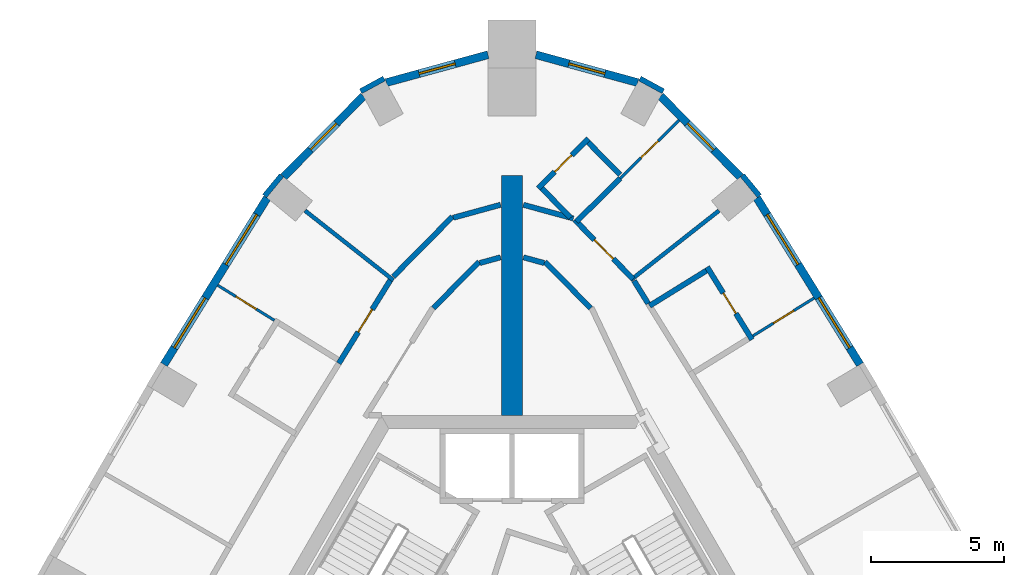
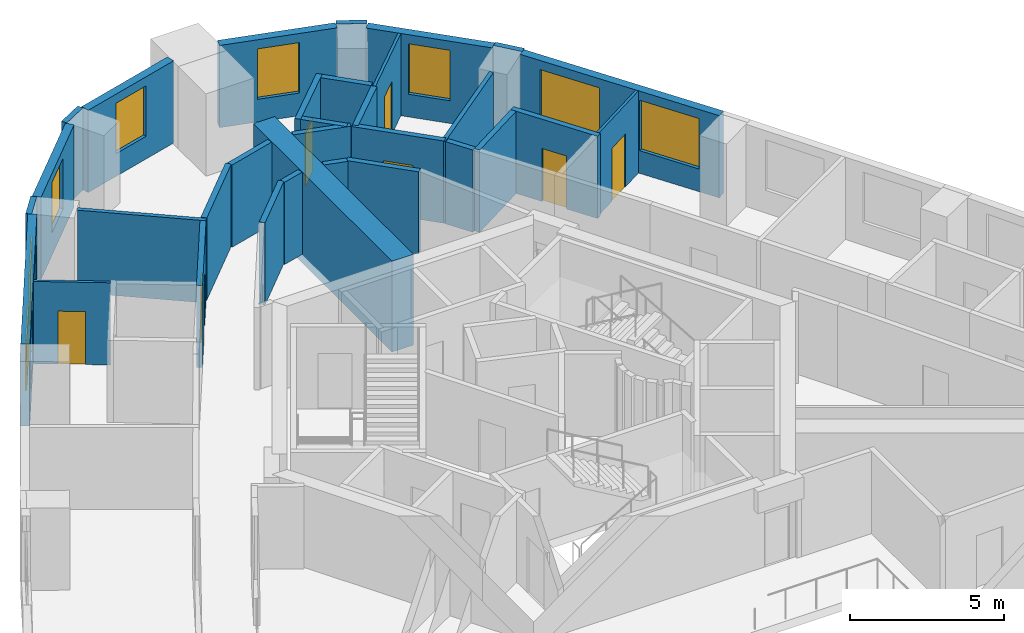
# One storey, part 8 of 10: 32 walls, 8 windows, 7 doors, 15 openings.
"""IFC4 building model written with IfcOpenShell, lengths in metres."""

from ifc_helpers import new_model, si_unit, direction, frame, frame_2d, origin, place, context, subcontext, project, spatial, rectangle, extrude, material, layer, layer_set, type_object, element, fill, save


model = new_model("IFC4")

# Units and contexts
model_context = context("Model", 3, precision=1e-05, world=origin(), true_north=direction((0.0, 1.0)))
body_context = subcontext(model_context, "Body", "Model", "MODEL_VIEW")
ifc_project = project(units=[si_unit("LENGTHUNIT", "METRE"), si_unit("AREAUNIT", "SQUARE_METRE"), si_unit("VOLUMEUNIT", "CUBIC_METRE"), si_unit("PLANEANGLEUNIT", "RADIAN"), si_unit("MASSUNIT", "GRAM", prefix="KILO")], contexts=[model_context])

# Site, building, storey
site_placement = place(None, origin())
site = spatial("IfcSite", under=ifc_project, at=site_placement, CompositionType="ELEMENT")
building_placement = place(site_placement, origin())
building = spatial("IfcBuilding", under=site, at=building_placement, Name="Entoto Arch Interchange Tower", CompositionType="ELEMENT")
storey_placement = place(building_placement, frame((0.0, 0.0, 300.800048828125)))
storey = spatial("IfcBuildingStorey", under=building, at=storey_placement, Name="L70", CompositionType="ELEMENT", Elevation=300.800048828125)

# Wall
ifc_material_1 = material(Name="Concrete C40/50", Category="concrete")
ifc_layer_1 = layer(ifc_material_1, 0.800048828125)
ifc_layer_set_1 = layer_set([ifc_layer_1], Name="Concrete C40/50")
wall_type_1 = type_object("IfcWallType", Name="Buttress wall 800 C40/50", PredefinedType="SHEAR", material=ifc_layer_set_1)
wall_1_placement = place(storey_placement, frame((0.0, 11.0, -0.340087890625), z_axis=(0.0, 0.0, 1.0), x_axis=(0.0, 1.0, 0.0)))
element("IfcWall", 1, at=wall_1_placement, inside=storey, type_object=wall_type_1, Name="Buttress wall N L70", PredefinedType="SHEAR", context=body_context, shape_type="SweptSolid", body=[
    extrude(rectangle(XDim=9.0, YDim=0.800048828125, at=frame_2d((4.5, 0.0))), origin(), (0.0, 0.0, 1.0), 3.60009765625),
])

# Wall, opening, door
ifc_material_2 = material(Name="Gypsum board partition on steel studs", Category="steel")
ifc_layer_2 = layer(ifc_material_2, 0.10009765625)
ifc_layer_set_2 = layer_set([ifc_layer_2], Name="Gypsum board partition on steel studs")
wall_type_2 = type_object("IfcWallType", Name="PARTITION 100", PredefinedType="PARTITIONING", material=ifc_layer_set_2)
wall_2_placement = place(storey_placement, frame((9.031005859375, 13.97900390625, 0.0), z_axis=(0.0, 0.0, 1.0), x_axis=(0.85032680557, 0.526254998768, 0.0)))
wall_2 = element("IfcWall", 2, at=wall_2_placement, inside=storey, type_object=wall_type_2, Name="wall:L70:p104", PredefinedType="PARTITIONING", context=body_context, shape_type="SweptSolid", body=[
    extrude(rectangle(XDim=2.699951171875, YDim=0.10009765625, at=frame_2d((1.35009765625, 0.0))), origin(), (0.0, 0.0, 1.0), 3.260009765625),
])
opening_1_placement = place(wall_2_placement, frame((0.89990234375, 0.0, 0.0)))
opening_1 = element("IfcOpeningElement", 3, at=opening_1_placement, cuts=wall_2, Name="Opening L70-D10", PredefinedType="OPENING", context=body_context, shape_type="SweptSolid", body=[
    extrude(rectangle(XDim=0.89990234375, YDim=2.10009765625, at=frame_2d((0.449951171875, 1.050048828125))), frame((0.0, 0.06005859375, 0.0), z_axis=(0.0, -1.0, 0.0), x_axis=(1.0, 0.0, 0.0)), (0.0, 0.0, 1.0), 0.1201171875),
])
ifc_material_3 = material(Name="Timber door leaf in Steel S235 frame", Category="steel")
door_type_1 = type_object("IfcDoorType", Name="DOOR DS-09 900x2100", OperationType="SINGLE_SWING_LEFT", PredefinedType="DOOR", material=ifc_material_3)
door_1_placement = place(opening_1_placement, origin())
door_1 = element("IfcDoor", 4, at=door_1_placement, inside=storey, type_object=door_type_1, Name="door:L70:10", OperationType="SINGLE_SWING_LEFT", OverallHeight=2.10009765625, OverallWidth=0.89990234375, PredefinedType="DOOR", context=body_context, shape_type="SweptSolid", body=[
    extrude(rectangle(XDim=0.89990234375, YDim=2.10009765625, at=frame_2d((0.449951171875, 1.050048828125))), frame((0.0, 0.02490234375, 0.0), z_axis=(0.0, -1.0, 0.0), x_axis=(1.0, 0.0, 0.0)), (0.0, 0.0, 1.0), 0.050048828125),
])
fill(opening_1, door_1)

wall_3_placement = place(storey_placement, frame((4.052978515625, 19.881103515625, 0.0), z_axis=(0.0, 0.0, 1.0), x_axis=(0.711776071152, 0.702406452516, 0.0)))
wall_3 = element("IfcWall", 5, at=wall_3_placement, inside=storey, type_object=wall_type_2, Name="wall:L70:p109", PredefinedType="PARTITIONING", context=body_context, shape_type="SweptSolid", body=[
    extrude(rectangle(XDim=3.100830078125, YDim=0.10009765625, at=frame_2d((1.55029296875, 0.0))), origin(), (0.0, 0.0, 1.0), 3.260009765625),
])
opening_2_placement = place(wall_3_placement, frame((1.10009765625, 0.0, 0.0)))
opening_2 = element("IfcOpeningElement", 6, at=opening_2_placement, cuts=wall_3, Name="Opening L70-D13", PredefinedType="OPENING", context=body_context, shape_type="SweptSolid", body=[
    extrude(rectangle(XDim=0.89990234375, YDim=2.10009765625, at=frame_2d((0.449951171875, 1.050048828125))), frame((0.0, 0.06005859375, 0.0), z_axis=(0.0, -1.0, 0.0), x_axis=(1.0, 0.0, 0.0)), (0.0, 0.0, 1.0), 0.1201171875),
])
door_2_placement = place(opening_2_placement, origin())
door_2 = element("IfcDoor", 7, at=door_2_placement, inside=storey, type_object=door_type_1, Name="door:L70:13", OperationType="SINGLE_SWING_LEFT", OverallHeight=2.10009765625, OverallWidth=0.89990234375, PredefinedType="DOOR", context=body_context, shape_type="SweptSolid", body=[
    extrude(rectangle(XDim=0.89990234375, YDim=2.10009765625, at=frame_2d((0.449951171875, 1.050048828125))), frame((0.0, 0.02490234375, 0.0), z_axis=(0.0, -1.0, 0.0), x_axis=(1.0, 0.0, 0.0)), (0.0, 0.0, 1.0), 0.050048828125),
])
fill(opening_2, door_2)

wall_4_placement = place(storey_placement, frame((-8.906005859375, 14.56201171875, 0.0), z_axis=(0.0, 0.0, 1.0), x_axis=(-0.850186034224, 0.526482390219, 0.0)))
wall_4 = element("IfcWall", 8, at=wall_4_placement, inside=storey, type_object=wall_type_2, Name="wall:L70:p115", PredefinedType="PARTITIONING", context=body_context, shape_type="SweptSolid", body=[
    extrude(rectangle(XDim=2.49951171875, YDim=0.10009765625, at=frame_2d((1.249755859375, 0.0))), origin(), (0.0, 0.0, 1.0), 3.260009765625),
])
opening_3_placement = place(wall_4_placement, frame((0.800048828125, 0.0, 0.0)))
opening_3 = element("IfcOpeningElement", 9, at=opening_3_placement, cuts=wall_4, Name="Opening L70-D16", PredefinedType="OPENING", context=body_context, shape_type="SweptSolid", body=[
    extrude(rectangle(XDim=0.89990234375, YDim=2.10009765625, at=frame_2d((0.449951171875, 1.050048828125))), frame((0.0, 0.06005859375, 0.0), z_axis=(0.0, -1.0, 0.0), x_axis=(1.0, 0.0, 0.0)), (0.0, 0.0, 1.0), 0.1201171875),
])
door_3_placement = place(opening_3_placement, origin())
door_3 = element("IfcDoor", 10, at=door_3_placement, inside=storey, type_object=door_type_1, Name="door:L70:16", OperationType="SINGLE_SWING_LEFT", OverallHeight=2.10009765625, OverallWidth=0.89990234375, PredefinedType="DOOR", context=body_context, shape_type="SweptSolid", body=[
    extrude(rectangle(XDim=0.89990234375, YDim=2.10009765625, at=frame_2d((0.449951171875, 1.050048828125))), frame((0.0, 0.02490234375, 0.0), z_axis=(0.0, -1.0, 0.0), x_axis=(1.0, 0.0, 0.0)), (0.0, 0.0, 1.0), 0.050048828125),
])
fill(opening_3, door_3)

# Walls
ifc_layer_3 = layer(ifc_material_2, 0.14990234375)
ifc_layer_set_3 = layer_set([ifc_layer_3], Name="Gypsum board partition on steel studs")
wall_type_3 = type_object("IfcWallType", Name="PARTITION 150", PredefinedType="PARTITIONING", material=ifc_layer_set_3)
for number, where, z_axis, x_axis, name in (
    (11, (4.445068359375, 16.068115234375, 0.0), (0.0, 0.0, 1.0), (0.785872006963, 0.618389188677, 0.0), "wall:L70:p108"),
    (12, (-4.445068359375, 16.068115234375, 0.0), (0.0, 0.0, 1.0), (-0.785872006963, 0.618389188677, 0.0), "wall:L70:p114"),
):
    element("IfcWall", number, at=place(storey_placement, frame(where, z_axis=z_axis, x_axis=x_axis)), inside=storey, type_object=wall_type_3, Name=name, PredefinedType="PARTITIONING", context=body_context, shape_type="SweptSolid", body=[
        extrude(rectangle(XDim=4.215576171875, YDim=0.14990234375, at=frame_2d((2.10791015625, 0.0))), origin(), (0.0, 0.0, 1.0), 3.260009765625),
    ])
ifc_layer_4 = layer(ifc_material_2, 0.199951171875)
ifc_layer_set_4 = layer_set([ifc_layer_4], Name="Gypsum board partition on steel studs")
wall_type_4 = type_object("IfcWallType", Name="PARTITION 200", PredefinedType="PARTITIONING", material=ifc_layer_set_4)
wall_5_placement = place(storey_placement, frame((2.950927734375, 15.01904296875, 0.0), z_axis=(0.0, 0.0, 1.0), x_axis=(-0.702341227034, 0.711840432126, 0.0)))
element("IfcWall", 13, at=wall_5_placement, inside=storey, type_object=wall_type_4, Name="wall:L70:p006", PredefinedType="PARTITIONING", context=body_context, shape_type="SweptSolid", body=[
    extrude(rectangle(XDim=2.441650390625, YDim=0.199951171875, at=frame_2d((1.220703125, 0.0))), origin(), (0.0, 0.0, 1.0), 3.260009765625),
])
wall_6_placement = place(storey_placement, frame((1.208984375, 16.7119140625, 0.0), z_axis=(0.0, 0.0, 1.0), x_axis=(-0.964583129746, 0.26377904733, 0.0)))
element("IfcWall", 14, at=wall_6_placement, inside=storey, type_object=wall_type_4, Name="wall:L70:p007", PredefinedType="PARTITIONING", context=body_context, shape_type="SweptSolid", body=[
    extrude(rectangle(XDim=0.811767578125, YDim=0.199951171875, at=frame_2d((0.40576171875, 0.0))), origin(), (0.0, 0.0, 1.0), 3.260009765625),
])
wall_7_placement = place(storey_placement, frame((-0.426025390625, 16.927001953125, 0.0), z_axis=(0.0, 0.0, 1.0), x_axis=(-0.964276465753, -0.264897900321, 0.0)))
element("IfcWall", 15, at=wall_7_placement, inside=storey, type_object=wall_type_4, Name="wall:L70:p008", PredefinedType="PARTITIONING", context=body_context, shape_type="SweptSolid", body=[
    extrude(rectangle(XDim=0.81201171875, YDim=0.199951171875, at=frame_2d((0.406005859375, 0.0))), origin(), (0.0, 0.0, 1.0), 3.260009765625),
])
wall_8_placement = place(storey_placement, frame((-1.236083984375, 16.757080078125, 0.0), z_axis=(0.0, 0.0, 1.0), x_axis=(-0.702341227034, -0.711840432126, 0.0)))
element("IfcWall", 16, at=wall_8_placement, inside=storey, type_object=wall_type_4, Name="wall:L70:p009", PredefinedType="PARTITIONING", context=body_context, shape_type="SweptSolid", body=[
    extrude(rectangle(XDim=2.441650390625, YDim=0.199951171875, at=frame_2d((1.220703125, 0.0))), origin(), (0.0, 0.0, 1.0), 3.260009765625),
])
wall_9_placement = place(storey_placement, frame((4.576904296875, 16.044921875, 0.0), z_axis=(0.0, 0.0, 1.0), x_axis=(0.526203576349, -0.850358628014, 0.0)))
element("IfcWall", 17, at=wall_9_placement, inside=storey, type_object=wall_type_4, Name="wall:L70:p042", PredefinedType="PARTITIONING", context=body_context, shape_type="SweptSolid", body=[
    extrude(rectangle(XDim=1.001708984375, YDim=0.199951171875, at=frame_2d((0.5009765625, 0.0))), origin(), (0.0, 0.0, 1.0), 3.260009765625),
])

# Wall, opening, door
wall_10_placement = place(storey_placement, frame((2.345947265625, 18.3359375, 0.0), z_axis=(0.0, 0.0, 1.0), x_axis=(0.702481985573, -0.711701524479, 0.0)))
wall_10 = element("IfcWall", 18, at=wall_10_placement, inside=storey, type_object=wall_type_4, Name="wall:L70:p044", PredefinedType="PARTITIONING", context=body_context, shape_type="SweptSolid", body=[
    extrude(rectangle(XDim=3.124755859375, YDim=0.199951171875, at=frame_2d((1.5625, 0.0))), origin(), (0.0, 0.0, 1.0), 3.260009765625),
])
opening_4_placement = place(wall_10_placement, frame((1.06201171875, 0.0, 0.0)))
opening_4 = element("IfcOpeningElement", 19, at=opening_4_placement, cuts=wall_10, Name="Opening L70-D12", PredefinedType="OPENING", context=body_context, shape_type="SweptSolid", body=[
    extrude(rectangle(XDim=1.0, YDim=2.10009765625, at=frame_2d((0.5, 1.050048828125))), frame((0.0, 0.10986328125, 0.0), z_axis=(0.0, -1.0, 0.0), x_axis=(1.0, 0.0, 0.0)), (0.0, 0.0, 1.0), 0.219970703125),
])
ifc_material_4 = material(Name="Fire-rated Steel S235 door and frame", Category="steel")
door_type_2 = type_object("IfcDoorType", Name="DOOR FD-10 1000x2100", OperationType="SINGLE_SWING_LEFT", PredefinedType="DOOR", material=ifc_material_4)
door_4_placement = place(opening_4_placement, origin())
door_4 = element("IfcDoor", 20, at=door_4_placement, inside=storey, type_object=door_type_2, Name="door:L70:12", OperationType="SINGLE_SWING_LEFT", OverallHeight=2.10009765625, OverallWidth=1.0, PredefinedType="DOOR", context=body_context, shape_type="SweptSolid", body=[
    extrude(rectangle(XDim=1.0, YDim=2.10009765625, at=frame_2d((0.5, 1.050048828125))), frame((0.0, 0.02490234375, 0.0), z_axis=(0.0, -1.0, 0.0), x_axis=(1.0, 0.0, 0.0)), (0.0, 0.0, 1.0), 0.050048828125),
])
fill(opening_4, door_4)

# Walls
wall_11_placement = place(storey_placement, frame((-4.4541015625, 16.200927734375, 0.0), z_axis=(0.0, 0.0, 1.0), x_axis=(0.702505657511, 0.711678158415, 0.0)))
element("IfcWall", 21, at=wall_11_placement, inside=storey, type_object=wall_type_4, Name="wall:L70:p045", PredefinedType="PARTITIONING", context=body_context, shape_type="SweptSolid", body=[
    extrude(rectangle(XDim=3.16748046875, YDim=0.199951171875, at=frame_2d((1.583740234375, 0.0))), origin(), (0.0, 0.0, 1.0), 3.260009765625),
])
wall_12_placement = place(storey_placement, frame((-2.202880859375, 18.409912109375, 0.0), z_axis=(0.0, 0.0, 1.0), x_axis=(0.964423583418, 0.264361781934, 0.0)))
element("IfcWall", 22, at=wall_12_placement, inside=storey, type_object=wall_type_4, Name="wall:L70:p046", PredefinedType="PARTITIONING", context=body_context, shape_type="SweptSolid", body=[
    extrude(rectangle(XDim=1.84228515625, YDim=0.199951171875, at=frame_2d((0.921142578125, 0.0))), origin(), (0.0, 0.0, 1.0), 3.260009765625),
])
wall_13_placement = place(storey_placement, frame((0.426025390625, 18.89599609375, 0.0), z_axis=(0.0, 0.0, 1.0), x_axis=(0.964522741234, -0.263999775838, 0.0)))
element("IfcWall", 23, at=wall_13_placement, inside=storey, type_object=wall_type_4, Name="wall:L70:p047", PredefinedType="PARTITIONING", context=body_context, shape_type="SweptSolid", body=[
    extrude(rectangle(XDim=1.94287109375, YDim=0.199951171875, at=frame_2d((0.971435546875, 0.0))), origin(), (0.0, 0.0, 1.0), 3.260009765625),
])

# Wall, opening, door
wall_14_placement = place(storey_placement, frame((-6.492919921875, 12.949951171875, 0.0), z_axis=(0.0, 0.0, 1.0), x_axis=(0.526432748426, 0.850216773173, 0.0)))
wall_14 = element("IfcWall", 24, at=wall_14_placement, inside=storey, type_object=wall_type_4, Name="wall:L70:p048", PredefinedType="PARTITIONING", context=body_context, shape_type="SweptSolid", body=[
    extrude(rectangle(XDim=3.764892578125, YDim=0.199951171875, at=frame_2d((1.88232421875, 0.0))), origin(), (0.0, 0.0, 1.0), 3.260009765625),
])
opening_5_placement = place(wall_14_placement, frame((1.383056640625, 0.0, 0.0)))
opening_5 = element("IfcOpeningElement", 25, at=opening_5_placement, cuts=wall_14, Name="Opening L70-D15", PredefinedType="OPENING", context=body_context, shape_type="SweptSolid", body=[
    extrude(rectangle(XDim=1.0, YDim=2.10009765625, at=frame_2d((0.5, 1.050048828125))), frame((0.0, 0.10986328125, 0.0), z_axis=(0.0, -1.0, 0.0), x_axis=(1.0, 0.0, 0.0)), (0.0, 0.0, 1.0), 0.219970703125),
])
door_5_placement = place(opening_5_placement, origin())
door_5 = element("IfcDoor", 26, at=door_5_placement, inside=storey, type_object=door_type_2, Name="door:L70:15", OperationType="SINGLE_SWING_LEFT", OverallHeight=2.10009765625, OverallWidth=1.0, PredefinedType="DOOR", context=body_context, shape_type="SweptSolid", body=[
    extrude(rectangle(XDim=1.0, YDim=2.10009765625, at=frame_2d((0.5, 1.050048828125))), frame((0.0, 0.02490234375, 0.0), z_axis=(0.0, -1.0, 0.0), x_axis=(1.0, 0.0, 0.0)), (0.0, 0.0, 1.0), 0.050048828125),
])
fill(opening_5, door_5)

wall_15_placement = place(storey_placement, frame((8.9990234375, 13.841064453125, 0.0), z_axis=(0.0, 0.0, 1.0), x_axis=(-0.526283695852, 0.850309044689, 0.0)))
wall_15 = element("IfcWall", 27, at=wall_15_placement, inside=storey, type_object=wall_type_4, Name="wall:L70:p106", PredefinedType="PARTITIONING", context=body_context, shape_type="SweptSolid", body=[
    extrude(rectangle(XDim=3.199951171875, YDim=0.199951171875, at=frame_2d((1.60009765625, 0.0))), origin(), (0.0, 0.0, 1.0), 3.260009765625),
])
opening_6_placement = place(wall_15_placement, frame((1.14990234375, 0.0, 0.0)))
opening_6 = element("IfcOpeningElement", 28, at=opening_6_placement, cuts=wall_15, Name="Opening L70-D11", PredefinedType="OPENING", context=body_context, shape_type="SweptSolid", body=[
    extrude(rectangle(XDim=0.89990234375, YDim=2.10009765625, at=frame_2d((0.449951171875, 1.050048828125))), frame((0.0, 0.10986328125, 0.0), z_axis=(0.0, -1.0, 0.0), x_axis=(1.0, 0.0, 0.0)), (0.0, 0.0, 1.0), 0.219970703125),
])
door_6_placement = place(opening_6_placement, origin())
door_6 = element("IfcDoor", 29, at=door_6_placement, inside=storey, type_object=door_type_1, Name="door:L70:11", OperationType="SINGLE_SWING_RIGHT", OverallHeight=2.10009765625, OverallWidth=0.89990234375, PredefinedType="DOOR", context=body_context, shape_type="SweptSolid", body=[
    extrude(rectangle(XDim=0.89990234375, YDim=2.10009765625, at=frame_2d((0.449951171875, 1.050048828125))), frame((0.0, 0.02490234375, 0.0), z_axis=(0.0, -1.0, 0.0), x_axis=(1.0, 0.0, 0.0)), (0.0, 0.0, 1.0), 0.050048828125),
])
fill(opening_6, door_6)

# Walls
wall_16_placement = place(storey_placement, frame((7.281982421875, 16.424072265625, 0.0), z_axis=(0.0, 0.0, 1.0), x_axis=(-0.850142312258, -0.526552987751, 0.0)))
element("IfcWall", 30, at=wall_16_placement, inside=storey, type_object=wall_type_4, Name="wall:L70:p107", PredefinedType="PARTITIONING", context=body_context, shape_type="SweptSolid", body=[
    extrude(rectangle(XDim=2.49951171875, YDim=0.199951171875, at=frame_2d((1.249755859375, 0.0))), origin(), (0.0, 0.0, 1.0), 3.260009765625),
])
wall_17_placement = place(storey_placement, frame((2.416015625, 18.264892578125, 0.0), z_axis=(0.0, 0.0, 1.0), x_axis=(0.71207765541, 0.702100714047, 0.0)))
element("IfcWall", 31, at=wall_17_placement, inside=storey, type_object=wall_type_4, Name="wall:L70:p110", PredefinedType="PARTITIONING", context=body_context, shape_type="SweptSolid", body=[
    extrude(rectangle(XDim=2.30029296875, YDim=0.199951171875, at=frame_2d((1.150146484375, 0.0))), origin(), (0.0, 0.0, 1.0), 3.260009765625),
])
wall_18_placement = place(storey_placement, frame((4.053955078125, 20.02197265625, 0.0), z_axis=(0.0, 0.0, 1.0), x_axis=(-0.702351102688, 0.711830688123, 0.0)))
element("IfcWall", 32, at=wall_18_placement, inside=storey, type_object=wall_type_4, Name="wall:L70:p111", PredefinedType="PARTITIONING", context=body_context, shape_type="SweptSolid", body=[
    extrude(rectangle(XDim=1.69970703125, YDim=0.199951171875, at=frame_2d((0.849853515625, 0.0))), origin(), (0.0, 0.0, 1.0), 3.260009765625),
])

# Wall, opening, door
wall_19_placement = place(storey_placement, frame((2.861083984375, 21.3740234375, 0.0), z_axis=(0.0, 0.0, 1.0), x_axis=(-0.711606122075, -0.702578626934, 0.0)))
wall_19 = element("IfcWall", 33, at=wall_19_placement, inside=storey, type_object=wall_type_4, Name="wall:L70:p112", PredefinedType="PARTITIONING", context=body_context, shape_type="SweptSolid", body=[
    extrude(rectangle(XDim=2.650390625, YDim=0.199951171875, at=frame_2d((1.3251953125, 0.0))), origin(), (0.0, 0.0, 1.0), 3.260009765625),
])
opening_7_placement = place(wall_19_placement, frame((0.875, 0.0, 0.0)))
opening_7 = element("IfcOpeningElement", 34, at=opening_7_placement, cuts=wall_19, Name="Opening L70-D14", PredefinedType="OPENING", context=body_context, shape_type="SweptSolid", body=[
    extrude(rectangle(XDim=0.89990234375, YDim=2.10009765625, at=frame_2d((0.449951171875, 1.050048828125))), frame((0.0, 0.10986328125, 0.0), z_axis=(0.0, -1.0, 0.0), x_axis=(1.0, 0.0, 0.0)), (0.0, 0.0, 1.0), 0.219970703125),
])
door_7_placement = place(opening_7_placement, origin())
door_7 = element("IfcDoor", 35, at=door_7_placement, inside=storey, type_object=door_type_1, Name="door:L70:14", OperationType="SINGLE_SWING_LEFT", OverallHeight=2.10009765625, OverallWidth=0.89990234375, PredefinedType="DOOR", context=body_context, shape_type="SweptSolid", body=[
    extrude(rectangle(XDim=0.89990234375, YDim=2.10009765625, at=frame_2d((0.449951171875, 1.050048828125))), frame((0.0, 0.02490234375, 0.0), z_axis=(0.0, -1.0, 0.0), x_axis=(1.0, 0.0, 0.0)), (0.0, 0.0, 1.0), 0.050048828125),
])
fill(opening_7, door_7)

# Wall
wall_20_placement = place(storey_placement, frame((1.115966796875, 19.510986328125, 0.0), z_axis=(0.0, 0.0, 1.0), x_axis=(0.702515837086, -0.711668109896, 0.0)))
element("IfcWall", 36, at=wall_20_placement, inside=storey, type_object=wall_type_4, Name="wall:L70:p113", PredefinedType="PARTITIONING", context=body_context, shape_type="SweptSolid", body=[
    extrude(rectangle(XDim=1.547119140625, YDim=0.199951171875, at=frame_2d((0.7734375, 0.0))), origin(), (0.0, 0.0, 1.0), 3.260009765625),
])

# Wall, openings, windows
ifc_material_5 = material(Name="Welded tuff (ignimbrite) cladding, warm buff", Category="masonry")
ifc_layer_5 = layer(ifc_material_5, 0.300048828125)
ifc_layer_set_5 = layer_set([ifc_layer_5], Name="Welded tuff (ignimbrite) cladding, warm buff")
wall_type_5 = type_object("IfcWallType", Name="STONE INFILL WALL 300", PredefinedType="STANDARD", material=ifc_layer_set_5)
wall_21_placement = place(storey_placement, frame((13.047119140625, 12.906982421875, 0.0), z_axis=(0.0, 0.0, 1.0), x_axis=(-0.526409529565, 0.850231149267, 0.0)))
wall_21 = element("IfcWall", 37, at=wall_21_placement, inside=storey, type_object=wall_type_5, Name="Facade wall NE-03 L70", PredefinedType="STANDARD", context=body_context, shape_type="SweptSolid", body=[
    extrude(rectangle(XDim=7.346435546875, YDim=0.300048828125, at=frame_2d((3.67333984375, 0.0))), origin(), (0.0, 0.0, 1.0), 3.260009765625),
])
opening_8_placement = place(wall_21_placement, frame((0.737060546875, 0.0, 0.89990234375)))
opening_8 = element("IfcOpeningElement", 38, at=opening_8_placement, cuts=wall_21, Name="Opening WH-A", PredefinedType="OPENING", context=body_context, shape_type="SweptSolid", body=[
    extrude(rectangle(XDim=2.199951171875, YDim=2.0, at=frame_2d((1.10009765625, 1.0))), frame((0.0, 0.16015625, 0.0), z_axis=(0.0, -1.0, 0.0), x_axis=(1.0, 0.0, 0.0)), (0.0, 0.0, 1.0), 0.320068359375),
])
opening_9_placement = place(wall_21_placement, frame((4.409912109375, 0.0, 0.89990234375)))
opening_9 = element("IfcOpeningElement", 39, at=opening_9_placement, cuts=wall_21, Name="Opening WH-A", PredefinedType="OPENING", context=body_context, shape_type="SweptSolid", body=[
    extrude(rectangle(XDim=2.199951171875, YDim=2.0, at=frame_2d((1.10009765625, 1.0))), frame((0.0, 0.16015625, 0.0), z_axis=(0.0, -1.0, 0.0), x_axis=(1.0, 0.0, 0.0)), (0.0, 0.0, 1.0), 0.320068359375),
])
ifc_material_6 = material(Name="Clear glass, low-e double glazed", Category="glass")
window_type_1 = type_object("IfcWindowType", Name="WINDOW WH-A 2200x2000", PartitioningType="DOUBLE_PANEL_VERTICAL", PredefinedType="WINDOW", material=ifc_material_6)
window_1_placement = place(opening_8_placement, origin())
window_1 = element("IfcWindow", 40, at=window_1_placement, inside=storey, type_object=window_type_1, Name="Window WH-A NE-03 L70", OverallHeight=2.0, OverallWidth=2.199951171875, PartitioningType="SINGLE_PANEL", PredefinedType="WINDOW", context=body_context, shape_type="SweptSolid", body=[
    extrude(rectangle(XDim=2.199951171875, YDim=2.0, at=frame_2d((1.10009765625, 1.0))), frame((0.0, 0.030029296875, 0.0), z_axis=(0.0, -1.0, 0.0), x_axis=(1.0, 0.0, 0.0)), (0.0, 0.0, 1.0), 0.06005859375),
])
fill(opening_8, window_1)
window_2_placement = place(opening_9_placement, origin())
window_2 = element("IfcWindow", 41, at=window_2_placement, inside=storey, type_object=window_type_1, Name="Window WH-A NE-03 L70", OverallHeight=2.0, OverallWidth=2.199951171875, PartitioningType="SINGLE_PANEL", PredefinedType="WINDOW", context=body_context, shape_type="SweptSolid", body=[
    extrude(rectangle(XDim=2.199951171875, YDim=2.0, at=frame_2d((1.10009765625, 1.0))), frame((0.0, 0.030029296875, 0.0), z_axis=(0.0, -1.0, 0.0), x_axis=(1.0, 0.0, 0.0)), (0.0, 0.0, 1.0), 0.06005859375),
])
fill(opening_9, window_2)

# Wall, opening, window
wall_22_placement = place(storey_placement, frame((8.56396484375, 19.93798828125, 0.0), z_axis=(0.0, 0.0, 1.0), x_axis=(-0.70250598769, 0.711677832491, 0.0)))
wall_22 = element("IfcWall", 42, at=wall_22_placement, inside=storey, type_object=wall_type_5, Name="Facade wall N-01 L70", PredefinedType="STANDARD", context=body_context, shape_type="SweptSolid", body=[
    extrude(rectangle(XDim=4.259033203125, YDim=0.300048828125, at=frame_2d((2.12939453125, 0.0))), origin(), (0.0, 0.0, 1.0), 3.260009765625),
])
opening_10_placement = place(wall_22_placement, frame((1.428955078125, 0.0, 0.89990234375)))
opening_10 = element("IfcOpeningElement", 43, at=opening_10_placement, cuts=wall_22, Name="Opening WH-B", PredefinedType="OPENING", context=body_context, shape_type="SweptSolid", body=[
    extrude(rectangle(XDim=1.39990234375, YDim=2.0, at=frame_2d((0.699951171875, 1.0))), frame((0.0, 0.16015625, 0.0), z_axis=(0.0, -1.0, 0.0), x_axis=(1.0, 0.0, 0.0)), (0.0, 0.0, 1.0), 0.320068359375),
])
window_type_2 = type_object("IfcWindowType", Name="WINDOW WH-B 1400x2000", PartitioningType="DOUBLE_PANEL_VERTICAL", PredefinedType="WINDOW", material=ifc_material_6)
window_3_placement = place(opening_10_placement, origin())
window_3 = element("IfcWindow", 44, at=window_3_placement, inside=storey, type_object=window_type_2, Name="Window WH-B N-01 L70", OverallHeight=2.0, OverallWidth=1.39990234375, PartitioningType="SINGLE_PANEL", PredefinedType="WINDOW", context=body_context, shape_type="SweptSolid", body=[
    extrude(rectangle(XDim=1.39990234375, YDim=2.0, at=frame_2d((0.699951171875, 1.0))), frame((0.0, 0.030029296875, 0.0), z_axis=(0.0, -1.0, 0.0), x_axis=(1.0, 0.0, 0.0)), (0.0, 0.0, 1.0), 0.06005859375),
])
fill(opening_10, window_3)

wall_23_placement = place(storey_placement, frame((4.712890625, 23.47705078125, 0.0), z_axis=(0.0, 0.0, 1.0), x_axis=(-0.964521196932, 0.264005417877, 0.0)))
wall_23 = element("IfcWall", 45, at=wall_23_placement, inside=storey, type_object=wall_type_5, Name="Facade wall N-02 L70", PredefinedType="STANDARD", context=body_context, shape_type="SweptSolid", body=[
    extrude(rectangle(XDim=3.954345703125, YDim=0.300048828125, at=frame_2d((1.97705078125, 0.0))), origin(), (0.0, 0.0, 1.0), 3.260009765625),
])
opening_11_placement = place(wall_23_placement, frame((1.277099609375, 0.0, 0.89990234375)))
opening_11 = element("IfcOpeningElement", 46, at=opening_11_placement, cuts=wall_23, Name="Opening WH-B", PredefinedType="OPENING", context=body_context, shape_type="SweptSolid", body=[
    extrude(rectangle(XDim=1.39990234375, YDim=2.0, at=frame_2d((0.699951171875, 1.0))), frame((0.0, 0.16015625, 0.0), z_axis=(0.0, -1.0, 0.0), x_axis=(1.0, 0.0, 0.0)), (0.0, 0.0, 1.0), 0.320068359375),
])
window_4_placement = place(opening_11_placement, origin())
window_4 = element("IfcWindow", 47, at=window_4_placement, inside=storey, type_object=window_type_2, Name="Window WH-B N-02 L70", OverallHeight=2.0, OverallWidth=1.39990234375, PartitioningType="SINGLE_PANEL", PredefinedType="WINDOW", context=body_context, shape_type="SweptSolid", body=[
    extrude(rectangle(XDim=1.39990234375, YDim=2.0, at=frame_2d((0.699951171875, 1.0))), frame((0.0, 0.030029296875, 0.0), z_axis=(0.0, -1.0, 0.0), x_axis=(1.0, 0.0, 0.0)), (0.0, 0.0, 1.0), 0.06005859375),
])
fill(opening_11, window_4)

wall_24_placement = place(storey_placement, frame((-0.89892578125, 24.52099609375, 0.0), z_axis=(0.0, 0.0, 1.0), x_axis=(-0.964521196932, -0.264005417877, 0.0)))
wall_24 = element("IfcWall", 48, at=wall_24_placement, inside=storey, type_object=wall_type_5, Name="Facade wall N-03 L70", PredefinedType="STANDARD", context=body_context, shape_type="SweptSolid", body=[
    extrude(rectangle(XDim=3.954345703125, YDim=0.300048828125, at=frame_2d((1.97705078125, 0.0))), origin(), (0.0, 0.0, 1.0), 3.260009765625),
])
opening_12_placement = place(wall_24_placement, frame((1.277099609375, 0.0, 0.89990234375)))
opening_12 = element("IfcOpeningElement", 49, at=opening_12_placement, cuts=wall_24, Name="Opening WH-B", PredefinedType="OPENING", context=body_context, shape_type="SweptSolid", body=[
    extrude(rectangle(XDim=1.39990234375, YDim=2.0, at=frame_2d((0.699951171875, 1.0))), frame((0.0, 0.16015625, 0.0), z_axis=(0.0, -1.0, 0.0), x_axis=(1.0, 0.0, 0.0)), (0.0, 0.0, 1.0), 0.320068359375),
])
window_5_placement = place(opening_12_placement, origin())
window_5 = element("IfcWindow", 50, at=window_5_placement, inside=storey, type_object=window_type_2, Name="Window WH-B N-03 L70", OverallHeight=2.0, OverallWidth=1.39990234375, PartitioningType="SINGLE_PANEL", PredefinedType="WINDOW", context=body_context, shape_type="SweptSolid", body=[
    extrude(rectangle(XDim=1.39990234375, YDim=2.0, at=frame_2d((0.699951171875, 1.0))), frame((0.0, 0.030029296875, 0.0), z_axis=(0.0, -1.0, 0.0), x_axis=(1.0, 0.0, 0.0)), (0.0, 0.0, 1.0), 0.06005859375),
])
fill(opening_12, window_5)

wall_25_placement = place(storey_placement, frame((-5.572021484375, 22.968994140625, 0.0), z_axis=(0.0, 0.0, 1.0), x_axis=(-0.70250598769, -0.711677832491, 0.0)))
wall_25 = element("IfcWall", 51, at=wall_25_placement, inside=storey, type_object=wall_type_5, Name="Facade wall N-04 L70", PredefinedType="STANDARD", context=body_context, shape_type="SweptSolid", body=[
    extrude(rectangle(XDim=4.259033203125, YDim=0.300048828125, at=frame_2d((2.12939453125, 0.0))), origin(), (0.0, 0.0, 1.0), 3.260009765625),
])
opening_13_placement = place(wall_25_placement, frame((1.428955078125, 0.0, 0.89990234375)))
opening_13 = element("IfcOpeningElement", 52, at=opening_13_placement, cuts=wall_25, Name="Opening WH-B", PredefinedType="OPENING", context=body_context, shape_type="SweptSolid", body=[
    extrude(rectangle(XDim=1.39990234375, YDim=2.0, at=frame_2d((0.699951171875, 1.0))), frame((0.0, 0.16015625, 0.0), z_axis=(0.0, -1.0, 0.0), x_axis=(1.0, 0.0, 0.0)), (0.0, 0.0, 1.0), 0.320068359375),
])
window_6_placement = place(opening_13_placement, origin())
window_6 = element("IfcWindow", 53, at=window_6_placement, inside=storey, type_object=window_type_2, Name="Window WH-B N-04 L70", OverallHeight=2.0, OverallWidth=1.39990234375, PartitioningType="SINGLE_PANEL", PredefinedType="WINDOW", context=body_context, shape_type="SweptSolid", body=[
    extrude(rectangle(XDim=1.39990234375, YDim=2.0, at=frame_2d((0.699951171875, 1.0))), frame((0.0, 0.030029296875, 0.0), z_axis=(0.0, -1.0, 0.0), x_axis=(1.0, 0.0, 0.0)), (0.0, 0.0, 1.0), 0.06005859375),
])
fill(opening_13, window_6)

# Wall, openings, windows
wall_26_placement = place(storey_placement, frame((-9.179931640625, 19.153076171875, 0.0), z_axis=(0.0, 0.0, 1.0), x_axis=(-0.526409529565, -0.850231149267, 0.0)))
wall_26 = element("IfcWall", 54, at=wall_26_placement, inside=storey, type_object=wall_type_5, Name="Facade wall NW-01 L70", PredefinedType="STANDARD", context=body_context, shape_type="SweptSolid", body=[
    extrude(rectangle(XDim=7.346435546875, YDim=0.300048828125, at=frame_2d((3.67333984375, 0.0))), origin(), (0.0, 0.0, 1.0), 3.260009765625),
])
opening_14_placement = place(wall_26_placement, frame((0.737060546875, 0.0, 0.89990234375)))
opening_14 = element("IfcOpeningElement", 55, at=opening_14_placement, cuts=wall_26, Name="Opening WH-A", PredefinedType="OPENING", context=body_context, shape_type="SweptSolid", body=[
    extrude(rectangle(XDim=2.199951171875, YDim=2.0, at=frame_2d((1.10009765625, 1.0))), frame((0.0, 0.16015625, 0.0), z_axis=(0.0, -1.0, 0.0), x_axis=(1.0, 0.0, 0.0)), (0.0, 0.0, 1.0), 0.320068359375),
])
opening_15_placement = place(wall_26_placement, frame((4.409912109375, 0.0, 0.89990234375)))
opening_15 = element("IfcOpeningElement", 56, at=opening_15_placement, cuts=wall_26, Name="Opening WH-A", PredefinedType="OPENING", context=body_context, shape_type="SweptSolid", body=[
    extrude(rectangle(XDim=2.199951171875, YDim=2.0, at=frame_2d((1.10009765625, 1.0))), frame((0.0, 0.16015625, 0.0), z_axis=(0.0, -1.0, 0.0), x_axis=(1.0, 0.0, 0.0)), (0.0, 0.0, 1.0), 0.320068359375),
])
window_7_placement = place(opening_14_placement, origin())
window_7 = element("IfcWindow", 57, at=window_7_placement, inside=storey, type_object=window_type_1, Name="Window WH-A NW-01 L70", OverallHeight=2.0, OverallWidth=2.199951171875, PartitioningType="SINGLE_PANEL", PredefinedType="WINDOW", context=body_context, shape_type="SweptSolid", body=[
    extrude(rectangle(XDim=2.199951171875, YDim=2.0, at=frame_2d((1.10009765625, 1.0))), frame((0.0, 0.030029296875, 0.0), z_axis=(0.0, -1.0, 0.0), x_axis=(1.0, 0.0, 0.0)), (0.0, 0.0, 1.0), 0.06005859375),
])
fill(opening_14, window_7)
window_8_placement = place(opening_15_placement, origin())
window_8 = element("IfcWindow", 58, at=window_8_placement, inside=storey, type_object=window_type_1, Name="Window WH-A NW-01 L70", OverallHeight=2.0, OverallWidth=2.199951171875, PartitioningType="SINGLE_PANEL", PredefinedType="WINDOW", context=body_context, shape_type="SweptSolid", body=[
    extrude(rectangle(XDim=2.199951171875, YDim=2.0, at=frame_2d((1.10009765625, 1.0))), frame((0.0, 0.030029296875, 0.0), z_axis=(0.0, -1.0, 0.0), x_axis=(1.0, 0.0, 0.0)), (0.0, 0.0, 1.0), 0.06005859375),
])
fill(opening_15, window_8)

# Walls
ifc_layer_6 = layer(ifc_material_5, 0.199951171875)
ifc_layer_set_6 = layer_set([ifc_layer_6], Name="Welded tuff (ignimbrite) cladding, warm buff")
wall_type_6 = type_object("IfcWallType", Name="STONE PIER CLADDING 200", PredefinedType="STANDARD", material=ifc_layer_set_6)
for number, where, z_axis, x_axis, name in (
    (59, (5.672119140625, 23.14990234375, 0.0), (0.0, 0.0, 1.0), (-0.877895572914, 0.478852130681, 0.0), "Stone pier N1 L70"),
    (60, (-4.7939453125, 23.62890625, 0.0), (0.0, 0.0, 1.0), (-0.877895572914, -0.478852130681, 0.0), "Stone pier N3 L70"),
    (61, (9.27294921875, 19.22705078125, 0.0), (0.0, 0.0, 1.0), (-0.635852688617, 0.771810441999, 0.0), "Stone pier NE04 L70"),
    (62, (-8.636962890625, 19.9990234375, 0.0), (0.0, 0.0, 1.0), (-0.635852688617, -0.771810441999, 0.0), "Stone pier NW01 L70"),
):
    element("IfcWall", number, at=place(storey_placement, frame(where, z_axis=z_axis, x_axis=x_axis)), inside=storey, type_object=wall_type_6, Name=name, PredefinedType="STANDARD", context=body_context, shape_type="SweptSolid", body=[
        extrude(rectangle(XDim=1.000244140625, YDim=0.199951171875, at=frame_2d((0.5, 0.0))), origin(), (0.0, 0.0, 1.0), 3.260009765625),
    ])

save(model, "model.ifc")
